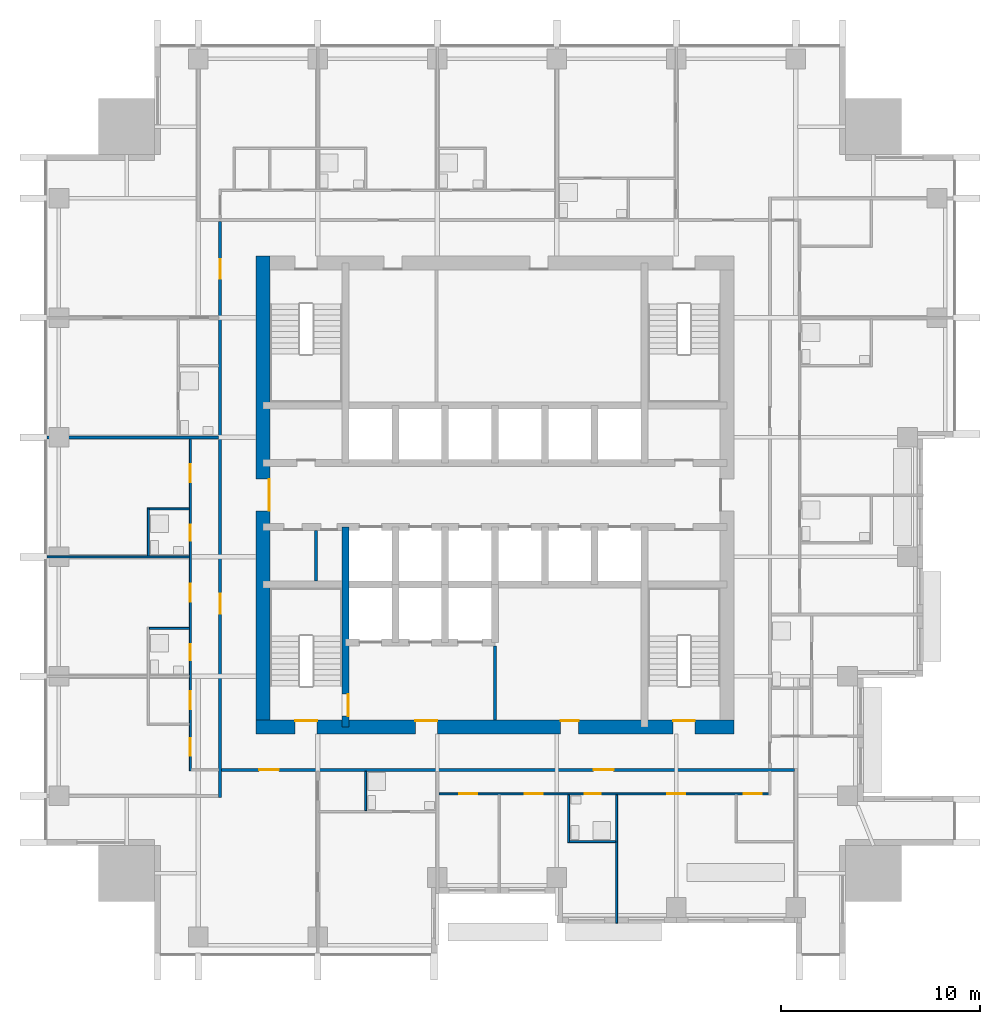
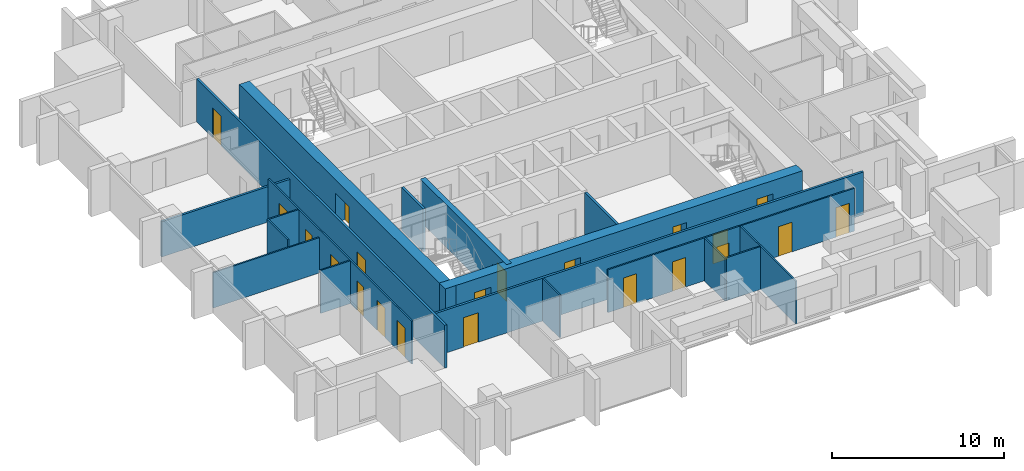
# One storey, part 4 of 10: 21 doors, 18 walls, 21 openings.
"""IFC4 building model written with IfcOpenShell, lengths in metres."""

from ifc_helpers import new_model, si_unit, direction, frame, frame_2d, origin, place, context, subcontext, project, spatial, rectangle, extrude, material, layer, layer_set, type_object, element, fill, save


model = new_model("IFC4")

# Units and contexts
model_context = context("Model", 3, precision=1e-05, world=origin(), true_north=direction((0.0, 1.0)))
body_context = subcontext(model_context, "Body", "Model", "MODEL_VIEW")
ifc_project = project(units=[si_unit("LENGTHUNIT", "METRE"), si_unit("AREAUNIT", "SQUARE_METRE"), si_unit("VOLUMEUNIT", "CUBIC_METRE"), si_unit("PLANEANGLEUNIT", "RADIAN"), si_unit("MASSUNIT", "GRAM", prefix="KILO")], contexts=[model_context])

# Site, building, storey
site_placement = place(None, origin())
site = spatial("IfcSite", under=ifc_project, at=site_placement, CompositionType="ELEMENT")
building_placement = place(site_placement, origin())
building = spatial("IfcBuilding", under=site, at=building_placement, Name="Amberfall Residences", CompositionType="ELEMENT")
storey_placement = place(building_placement, frame((0.0, 0.0, 140.5)))
storey = spatial("IfcBuildingStorey", under=building, at=storey_placement, Name="L37", CompositionType="ELEMENT", Elevation=140.5)

# Wall, opening, door
ifc_material_1 = material(Name="Concrete C60", Category="concrete")
ifc_layer_1 = layer(ifc_material_1, 0.35009765625)
ifc_layer_set_1 = layer_set([ifc_layer_1], Name="Core wall 350 C60")
wall_type_1 = type_object("IfcWallType", Name="Core wall 350 C60", PredefinedType="SHEAR", material=ifc_layer_set_1)
wall_1_placement = place(storey_placement, frame((67.0, 33.85009765625, 0.0), z_axis=(0.0, 0.0, 1.0), x_axis=(0.0, 1.0, 0.0)))
wall_1 = element("IfcWall", 1, at=wall_1_placement, inside=storey, type_object=wall_type_1, Name="Core wall RW6 L37 V45S", PredefinedType="SHEAR", context=body_context, shape_type="SweptSolid", body=[
    extrude(rectangle(XDim=10.0498046875, YDim=0.35009765625, at=frame_2d((5.02490234375, 0.0))), origin(), (0.0, 0.0, 1.0), 3.050048828125),
])
opening_1_placement = place(wall_1_placement, frame((0.550048828125, 0.0, 0.0)))
opening_1 = element("IfcOpeningElement", 2, at=opening_1_placement, cuts=wall_1, Name="Opening FL1", PredefinedType="OPENING", context=body_context, shape_type="SweptSolid", body=[
    extrude(rectangle(XDim=1.10009765625, YDim=2.10009765625, at=frame_2d((0.550048828125, 1.050048828125))), frame((0.0, 0.18505859375, 0.0), z_axis=(0.0, -1.0, 0.0), x_axis=(1.0, 0.0, 0.0)), (0.0, 0.0, 1.0), 0.3701171875),
])
ifc_material_2 = material(Name="Steel fire door set", Category="steel")
door_type_1 = type_object("IfcDoorType", Name="Firefighting lobby door 1100 x 2100", OperationType="SINGLE_SWING_LEFT", PredefinedType="DOOR", material=ifc_material_2)
door_1_placement = place(opening_1_placement, origin())
door_1 = element("IfcDoor", 3, at=door_1_placement, inside=storey, type_object=door_type_1, Name="FL1 L37", OperationType="SINGLE_SWING_RIGHT", OverallHeight=2.10009765625, OverallWidth=1.10009765625, PredefinedType="DOOR", context=body_context, shape_type="SweptSolid", body=[
    extrude(rectangle(XDim=1.10009765625, YDim=2.10009765625, at=frame_2d((0.550048828125, 1.050048828125))), frame((0.0, -0.1123046875, 0.0), z_axis=(0.0, -1.0, 0.0), x_axis=(1.0, 0.0, 0.0)), (0.0, 0.0, 1.0), 0.050048828125),
])
fill(opening_1, door_1)

# Wall, openings, doors
ifc_layer_2 = layer(ifc_material_1, 0.699951171875)
ifc_layer_set_2 = layer_set([ifc_layer_2], Name="Core wall 700 C60")
wall_type_2 = type_object("IfcWallType", Name="Core wall 700 C60", PredefinedType="SHEAR", material=ifc_layer_set_2)
wall_2_placement = place(storey_placement, frame((62.5, 33.85009765625, 0.0), z_axis=(0.0, 0.0, 1.0), x_axis=(1.0, 0.0, 0.0)))
wall_2 = element("IfcWall", 4, at=wall_2_placement, inside=storey, type_object=wall_type_2, Name="Core wall RW5 L37 OS", PredefinedType="SHEAR", context=body_context, shape_type="SweptSolid", body=[
    extrude(rectangle(XDim=24.0, YDim=0.699951171875, at=frame_2d((12.0, 0.0))), origin(), (0.0, 0.0, 1.0), 3.050048828125),
])
opening_2_placement = place(wall_2_placement, frame((1.96240234375, 0.0, 0.0)))
opening_2 = element("IfcOpeningElement", 5, at=opening_2_placement, cuts=wall_2, Name="Opening SD1", PredefinedType="OPENING", context=body_context, shape_type="SweptSolid", body=[
    extrude(rectangle(XDim=1.10009765625, YDim=2.10009765625, at=frame_2d((0.550048828125, 1.050048828125))), frame((0.0, 0.35986328125, 0.0), z_axis=(0.0, -1.0, 0.0), x_axis=(1.0, 0.0, 0.0)), (0.0, 0.0, 1.0), 0.719970703125),
])
opening_3_placement = place(wall_2_placement, frame((20.9375, 0.0, 0.0)))
opening_3 = element("IfcOpeningElement", 6, at=opening_3_placement, cuts=wall_2, Name="Opening SD1", PredefinedType="OPENING", context=body_context, shape_type="SweptSolid", body=[
    extrude(rectangle(XDim=1.10009765625, YDim=2.10009765625, at=frame_2d((0.550048828125, 1.050048828125))), frame((0.0, 0.35986328125, 0.0), z_axis=(0.0, -1.0, 0.0), x_axis=(1.0, 0.0, 0.0)), (0.0, 0.0, 1.0), 0.719970703125),
])
opening_4_placement = place(wall_2_placement, frame((8.0, 0.0, 0.0)))
opening_4 = element("IfcOpeningElement", 7, at=opening_4_placement, cuts=wall_2, Name="Opening FL1", PredefinedType="OPENING", context=body_context, shape_type="SweptSolid", body=[
    extrude(rectangle(XDim=1.10009765625, YDim=2.10009765625, at=frame_2d((0.550048828125, 1.050048828125))), frame((0.0, 0.35986328125, 0.0), z_axis=(0.0, -1.0, 0.0), x_axis=(1.0, 0.0, 0.0)), (0.0, 0.0, 1.0), 0.719970703125),
])
opening_5_placement = place(wall_2_placement, frame((15.300048828125, 0.0, 0.0)))
opening_5 = element("IfcOpeningElement", 8, at=opening_5_placement, cuts=wall_2, Name="Opening RD1", PredefinedType="OPENING", context=body_context, shape_type="SweptSolid", body=[
    extrude(rectangle(XDim=0.89990234375, YDim=2.10009765625, at=frame_2d((0.449951171875, 1.050048828125))), frame((0.0, 0.35986328125, 0.0), z_axis=(0.0, -1.0, 0.0), x_axis=(1.0, 0.0, 0.0)), (0.0, 0.0, 1.0), 0.719970703125),
])
door_2_placement = place(opening_4_placement, origin())
door_2 = element("IfcDoor", 9, at=door_2_placement, inside=storey, type_object=door_type_1, Name="FL1 L37", OperationType="SINGLE_SWING_LEFT", OverallHeight=2.10009765625, OverallWidth=1.10009765625, PredefinedType="DOOR", context=body_context, shape_type="SweptSolid", body=[
    extrude(rectangle(XDim=1.10009765625, YDim=2.10009765625, at=frame_2d((0.550048828125, 1.050048828125))), frame((0.0, 0.33740234375, 0.0), z_axis=(0.0, -1.0, 0.0), x_axis=(1.0, 0.0, 0.0)), (0.0, 0.0, 1.0), 0.050048828125),
])
fill(opening_4, door_2)
door_type_2 = type_object("IfcDoorType", Name="Service room door 900 x 2100", OperationType="SINGLE_SWING_LEFT", PredefinedType="DOOR", material=ifc_material_2)
door_3_placement = place(opening_5_placement, origin())
door_3 = element("IfcDoor", 10, at=door_3_placement, inside=storey, type_object=door_type_2, Name="RD1 L37", OperationType="SINGLE_SWING_LEFT", OverallHeight=2.10009765625, OverallWidth=0.89990234375, PredefinedType="DOOR", context=body_context, shape_type="SweptSolid", body=[
    extrude(rectangle(XDim=0.89990234375, YDim=2.10009765625, at=frame_2d((0.449951171875, 1.050048828125))), frame((0.0, 0.33740234375, 0.0), z_axis=(0.0, -1.0, 0.0), x_axis=(1.0, 0.0, 0.0)), (0.0, 0.0, 1.0), 0.050048828125),
])
fill(opening_5, door_3)
door_type_3 = type_object("IfcDoorType", Name="Stair door 1100 x 2100", OperationType="SINGLE_SWING_LEFT", PredefinedType="DOOR", material=ifc_material_2)
door_4_placement = place(opening_2_placement, origin())
door_4 = element("IfcDoor", 11, at=door_4_placement, inside=storey, type_object=door_type_3, Name="SD1 L37", OperationType="SINGLE_SWING_LEFT", OverallHeight=2.10009765625, OverallWidth=1.10009765625, PredefinedType="DOOR", context=body_context, shape_type="SweptSolid", body=[
    extrude(rectangle(XDim=1.10009765625, YDim=2.10009765625, at=frame_2d((0.550048828125, 1.050048828125))), frame((0.0, 0.33740234375, 0.0), z_axis=(0.0, -1.0, 0.0), x_axis=(1.0, 0.0, 0.0)), (0.0, 0.0, 1.0), 0.050048828125),
])
fill(opening_2, door_4)
door_5_placement = place(opening_3_placement, origin())
door_5 = element("IfcDoor", 12, at=door_5_placement, inside=storey, type_object=door_type_3, Name="SD1 L37", OperationType="SINGLE_SWING_RIGHT", OverallHeight=2.10009765625, OverallWidth=1.10009765625, PredefinedType="DOOR", context=body_context, shape_type="SweptSolid", body=[
    extrude(rectangle(XDim=1.10009765625, YDim=2.10009765625, at=frame_2d((0.550048828125, 1.050048828125))), frame((0.0, 0.33740234375, 0.0), z_axis=(0.0, -1.0, 0.0), x_axis=(1.0, 0.0, 0.0)), (0.0, 0.0, 1.0), 0.050048828125),
])
fill(opening_3, door_5)

# Wall, opening, door
wall_3_placement = place(storey_placement, frame((62.85009765625, 33.5, 0.0), z_axis=(0.0, 0.0, 1.0), x_axis=(0.0, 1.0, 0.0)))
wall_3 = element("IfcWall", 13, at=wall_3_placement, inside=storey, type_object=wall_type_2, Name="Core wall RW5 L37 OW", PredefinedType="SHEAR", context=body_context, shape_type="SweptSolid", body=[
    extrude(rectangle(XDim=24.0, YDim=0.699951171875, at=frame_2d((12.0, 0.0))), origin(), (0.0, 0.0, 1.0), 3.050048828125),
])
opening_6_placement = place(wall_3_placement, frame((11.199951171875, 0.0, 0.0)))
opening_6 = element("IfcOpeningElement", 14, at=opening_6_placement, cuts=wall_3, Name="Opening LB1", PredefinedType="OPENING", context=body_context, shape_type="SweptSolid", body=[
    extrude(rectangle(XDim=1.60009765625, YDim=2.10009765625, at=frame_2d((0.800048828125, 1.050048828125))), frame((0.0, 0.35986328125, 0.0), z_axis=(0.0, -1.0, 0.0), x_axis=(1.0, 0.0, 0.0)), (0.0, 0.0, 1.0), 0.719970703125),
])
door_type_4 = type_object("IfcDoorType", Name="Lift lobby double door 1600 x 2100", OperationType="DOUBLE_DOOR_SINGLE_SWING", PredefinedType="DOOR", material=ifc_material_2)
door_6_placement = place(opening_6_placement, origin())
door_6 = element("IfcDoor", 15, at=door_6_placement, inside=storey, type_object=door_type_4, Name="LB1 L37", OperationType="DOUBLE_DOOR_SINGLE_SWING", OverallHeight=2.10009765625, OverallWidth=1.60009765625, PredefinedType="DOOR", context=body_context, shape_type="SweptSolid", body=[
    extrude(rectangle(XDim=1.60009765625, YDim=2.10009765625, at=frame_2d((0.800048828125, 1.050048828125))), frame((0.0, -0.28759765625, 0.0), z_axis=(0.0, -1.0, 0.0), x_axis=(1.0, 0.0, 0.0)), (0.0, 0.0, 1.0), 0.050048828125),
])
fill(opening_6, door_6)

# Wall
ifc_material_3 = material(Name="Gypsum board on metal stud")
ifc_layer_3 = layer(ifc_material_3, 0.10009765625)
ifc_layer_set_3 = layer_set([ifc_layer_3], Name="Flat partition 100")
wall_type_3 = type_object("IfcWallType", Name="Flat partition 100", PredefinedType="PARTITIONING", material=ifc_layer_set_3)
wall_4_placement = place(storey_placement, frame((57.10009765625, 42.449951171875, 0.0), z_axis=(0.0, 0.0, 1.0), x_axis=(0.0, 1.0, 0.0)))
element("IfcWall", 16, at=wall_4_placement, inside=storey, type_object=wall_type_3, Name="Partition 002", PredefinedType="PARTITIONING", context=body_context, shape_type="SweptSolid", body=[
    extrude(rectangle(XDim=2.400146484375, YDim=0.10009765625, at=frame_2d((1.2001953125, 0.0))), origin(), (0.0, 0.0, 1.0), 3.050048828125),
])

# Wall, openings, doors
wall_5_placement = place(storey_placement, frame((59.199951171875, 31.64990234375, 0.0), z_axis=(0.0, 0.0, 1.0), x_axis=(0.0, 1.0, 0.0)))
wall_5 = element("IfcWall", 17, at=wall_5_placement, inside=storey, type_object=wall_type_3, Name="Partition 004", PredefinedType="PARTITIONING", context=body_context, shape_type="SweptSolid", body=[
    extrude(rectangle(XDim=16.675048828125, YDim=0.10009765625, at=frame_2d((8.33740234375, 0.0))), origin(), (0.0, 0.0, 1.0), 3.050048828125),
])
opening_7_placement = place(wall_5_placement, frame((0.75, 0.0, 0.0)))
opening_7 = element("IfcOpeningElement", 18, at=opening_7_placement, cuts=wall_5, Name="Opening D41", PredefinedType="OPENING", context=body_context, shape_type="SweptSolid", body=[
    extrude(rectangle(XDim=0.89990234375, YDim=2.10009765625, at=frame_2d((0.449951171875, 1.050048828125))), frame((0.0, 0.06005859375, 0.0), z_axis=(0.0, -1.0, 0.0), x_axis=(1.0, 0.0, 0.0)), (0.0, 0.0, 1.0), 0.1201171875),
])
opening_8_placement = place(wall_5_placement, frame((3.10009765625, 0.0, 0.0)))
opening_8 = element("IfcOpeningElement", 19, at=opening_8_placement, cuts=wall_5, Name="Opening D41", PredefinedType="OPENING", context=body_context, shape_type="SweptSolid", body=[
    extrude(rectangle(XDim=0.89990234375, YDim=2.10009765625, at=frame_2d((0.449951171875, 1.050048828125))), frame((0.0, 0.06005859375, 0.0), z_axis=(0.0, -1.0, 0.0), x_axis=(1.0, 0.0, 0.0)), (0.0, 0.0, 1.0), 0.1201171875),
])
opening_9_placement = place(wall_5_placement, frame((8.5, 0.0, 0.0)))
opening_9 = element("IfcOpeningElement", 20, at=opening_9_placement, cuts=wall_5, Name="Opening D41", PredefinedType="OPENING", context=body_context, shape_type="SweptSolid", body=[
    extrude(rectangle(XDim=0.89990234375, YDim=2.10009765625, at=frame_2d((0.449951171875, 1.050048828125))), frame((0.0, 0.06005859375, 0.0), z_axis=(0.0, -1.0, 0.0), x_axis=(1.0, 0.0, 0.0)), (0.0, 0.0, 1.0), 0.1201171875),
])
opening_10_placement = place(wall_5_placement, frame((14.5, 0.0, 0.0)))
opening_10 = element("IfcOpeningElement", 21, at=opening_10_placement, cuts=wall_5, Name="Opening D41", PredefinedType="OPENING", context=body_context, shape_type="SweptSolid", body=[
    extrude(rectangle(XDim=0.89990234375, YDim=2.10009765625, at=frame_2d((0.449951171875, 1.050048828125))), frame((0.0, 0.06005859375, 0.0), z_axis=(0.0, -1.0, 0.0), x_axis=(1.0, 0.0, 0.0)), (0.0, 0.0, 1.0), 0.1201171875),
])
opening_11_placement = place(wall_5_placement, frame((5.550048828125, 0.0, 0.0)))
opening_11 = element("IfcOpeningElement", 22, at=opening_11_placement, cuts=wall_5, Name="Opening D42", PredefinedType="OPENING", context=body_context, shape_type="SweptSolid", body=[
    extrude(rectangle(XDim=0.800048828125, YDim=2.10009765625, at=frame_2d((0.39990234375, 1.050048828125))), frame((0.0, 0.06005859375, 0.0), z_axis=(0.0, -1.0, 0.0), x_axis=(1.0, 0.0, 0.0)), (0.0, 0.0, 1.0), 0.1201171875),
])
opening_12_placement = place(wall_5_placement, frame((11.550048828125, 0.0, 0.0)))
opening_12 = element("IfcOpeningElement", 23, at=opening_12_placement, cuts=wall_5, Name="Opening D42", PredefinedType="OPENING", context=body_context, shape_type="SweptSolid", body=[
    extrude(rectangle(XDim=0.800048828125, YDim=2.10009765625, at=frame_2d((0.39990234375, 1.050048828125))), frame((0.0, 0.06005859375, 0.0), z_axis=(0.0, -1.0, 0.0), x_axis=(1.0, 0.0, 0.0)), (0.0, 0.0, 1.0), 0.1201171875),
])
ifc_material_4 = material(Name="Timber", Category="wood")
door_type_5 = type_object("IfcDoorType", Name="Bathroom door 800 x 2100", OperationType="SINGLE_SWING_LEFT", PredefinedType="DOOR", material=ifc_material_4)
door_7_placement = place(opening_11_placement, origin())
door_7 = element("IfcDoor", 24, at=door_7_placement, inside=storey, type_object=door_type_5, Name="Door 3707 bath1", OperationType="SINGLE_SWING_LEFT", OverallHeight=2.10009765625, OverallWidth=0.800048828125, PredefinedType="DOOR", context=body_context, shape_type="SweptSolid", body=[
    extrude(rectangle(XDim=0.800048828125, YDim=2.10009765625, at=frame_2d((0.39990234375, 1.050048828125))), frame((0.0, 0.02490234375, 0.0), z_axis=(0.0, -1.0, 0.0), x_axis=(1.0, 0.0, 0.0)), (0.0, 0.0, 1.0), 0.050048828125),
])
fill(opening_11, door_7)
door_8_placement = place(opening_12_placement, origin())
door_8 = element("IfcDoor", 25, at=door_8_placement, inside=storey, type_object=door_type_5, Name="Door 3707 bath2", OperationType="SINGLE_SWING_LEFT", OverallHeight=2.10009765625, OverallWidth=0.800048828125, PredefinedType="DOOR", context=body_context, shape_type="SweptSolid", body=[
    extrude(rectangle(XDim=0.800048828125, YDim=2.10009765625, at=frame_2d((0.39990234375, 1.050048828125))), frame((0.0, 0.02490234375, 0.0), z_axis=(0.0, -1.0, 0.0), x_axis=(1.0, 0.0, 0.0)), (0.0, 0.0, 1.0), 0.050048828125),
])
fill(opening_12, door_8)
door_type_6 = type_object("IfcDoorType", Name="Internal door 900 x 2100", OperationType="SINGLE_SWING_LEFT", PredefinedType="DOOR", material=ifc_material_4)
door_9_placement = place(opening_7_placement, origin())
door_9 = element("IfcDoor", 26, at=door_9_placement, inside=storey, type_object=door_type_6, Name="Door 3707 living", OperationType="SINGLE_SWING_LEFT", OverallHeight=2.10009765625, OverallWidth=0.89990234375, PredefinedType="DOOR", context=body_context, shape_type="SweptSolid", body=[
    extrude(rectangle(XDim=0.89990234375, YDim=2.10009765625, at=frame_2d((0.449951171875, 1.050048828125))), frame((0.0, 0.02490234375, 0.0), z_axis=(0.0, -1.0, 0.0), x_axis=(1.0, 0.0, 0.0)), (0.0, 0.0, 1.0), 0.050048828125),
])
fill(opening_7, door_9)
door_10_placement = place(opening_8_placement, origin())
door_10 = element("IfcDoor", 27, at=door_10_placement, inside=storey, type_object=door_type_6, Name="Door 3707 kitchen", OperationType="SINGLE_SWING_LEFT", OverallHeight=2.10009765625, OverallWidth=0.89990234375, PredefinedType="DOOR", context=body_context, shape_type="SweptSolid", body=[
    extrude(rectangle(XDim=0.89990234375, YDim=2.10009765625, at=frame_2d((0.449951171875, 1.050048828125))), frame((0.0, 0.02490234375, 0.0), z_axis=(0.0, -1.0, 0.0), x_axis=(1.0, 0.0, 0.0)), (0.0, 0.0, 1.0), 0.050048828125),
])
fill(opening_8, door_10)
door_11_placement = place(opening_9_placement, origin())
door_11 = element("IfcDoor", 28, at=door_11_placement, inside=storey, type_object=door_type_6, Name="Door 3707 bedroom1", OperationType="SINGLE_SWING_LEFT", OverallHeight=2.10009765625, OverallWidth=0.89990234375, PredefinedType="DOOR", context=body_context, shape_type="SweptSolid", body=[
    extrude(rectangle(XDim=0.89990234375, YDim=2.10009765625, at=frame_2d((0.449951171875, 1.050048828125))), frame((0.0, 0.02490234375, 0.0), z_axis=(0.0, -1.0, 0.0), x_axis=(1.0, 0.0, 0.0)), (0.0, 0.0, 1.0), 0.050048828125),
])
fill(opening_9, door_11)
door_12_placement = place(opening_10_placement, origin())
door_12 = element("IfcDoor", 29, at=door_12_placement, inside=storey, type_object=door_type_6, Name="Door 3707 bedroom2", OperationType="SINGLE_SWING_LEFT", OverallHeight=2.10009765625, OverallWidth=0.89990234375, PredefinedType="DOOR", context=body_context, shape_type="SweptSolid", body=[
    extrude(rectangle(XDim=0.89990234375, YDim=2.10009765625, at=frame_2d((0.449951171875, 1.050048828125))), frame((0.0, 0.02490234375, 0.0), z_axis=(0.0, -1.0, 0.0), x_axis=(1.0, 0.0, 0.0)), (0.0, 0.0, 1.0), 0.050048828125),
])
fill(opening_10, door_12)

# Walls
wall_6_placement = place(storey_placement, frame((68.0, 29.64990234375, 0.0), z_axis=(0.0, 0.0, 1.0), x_axis=(0.0, 1.0, 0.0)))
element("IfcWall", 30, at=wall_6_placement, inside=storey, type_object=wall_type_3, Name="Partition 010", PredefinedType="PARTITIONING", context=body_context, shape_type="SweptSolid", body=[
    extrude(rectangle(XDim=1.97509765625, YDim=0.10009765625, at=frame_2d((0.987548828125, 0.0))), origin(), (0.0, 0.0, 1.0), 3.050048828125),
])
wall_7_placement = place(storey_placement, frame((78.199951171875, 28.050048828125, 0.0), z_axis=(0.0, 0.0, 1.0), x_axis=(0.0, 1.0, 0.0)))
element("IfcWall", 31, at=wall_7_placement, inside=storey, type_object=wall_type_3, Name="Partition 015", PredefinedType="PARTITIONING", context=body_context, shape_type="SweptSolid", body=[
    extrude(rectangle(XDim=2.39990234375, YDim=0.10009765625, at=frame_2d((1.199951171875, 0.0))), origin(), (0.0, 0.0, 1.0), 3.050048828125),
])
wall_8_placement = place(storey_placement, frame((80.60009765625, 24.0, 0.0), z_axis=(0.0, 0.0, 1.0), x_axis=(0.0, 1.0, 0.0)))
element("IfcWall", 32, at=wall_8_placement, inside=storey, type_object=wall_type_3, Name="Partition 016", PredefinedType="PARTITIONING", context=body_context, shape_type="SweptSolid", body=[
    extrude(rectangle(XDim=6.449951171875, YDim=0.10009765625, at=frame_2d((3.22509765625, 0.0))), origin(), (0.0, 0.0, 1.0), 3.050048828125),
])
wall_9_placement = place(storey_placement, frame((57.14990234375, 44.800048828125, 0.0), z_axis=(0.0, 0.0, 1.0), x_axis=(1.0, 0.0, 0.0)))
element("IfcWall", 33, at=wall_9_placement, inside=storey, type_object=wall_type_3, Name="Partition 037", PredefinedType="PARTITIONING", context=body_context, shape_type="SweptSolid", body=[
    extrude(rectangle(XDim=2.0, YDim=0.10009765625, at=frame_2d((1.0, 0.0))), origin(), (0.0, 0.0, 1.0), 3.050048828125),
])
wall_10_placement = place(storey_placement, frame((52.0, 42.39990234375, 0.0), z_axis=(0.0, 0.0, 1.0), x_axis=(1.0, 0.0, 0.0)))
element("IfcWall", 34, at=wall_10_placement, inside=storey, type_object=wall_type_3, Name="Partition 039", PredefinedType="PARTITIONING", context=body_context, shape_type="SweptSolid", body=[
    extrude(rectangle(XDim=7.14990234375, YDim=0.10009765625, at=frame_2d((3.574951171875, 0.0))), origin(), (0.0, 0.0, 1.0), 2.51611328125),
])
wall_11_placement = place(storey_placement, frame((57.14990234375, 38.800048828125, 0.0), z_axis=(0.0, 0.0, 1.0), x_axis=(1.0, 0.0, 0.0)))
element("IfcWall", 35, at=wall_11_placement, inside=storey, type_object=wall_type_3, Name="Partition 040", PredefinedType="PARTITIONING", context=body_context, shape_type="SweptSolid", body=[
    extrude(rectangle(XDim=2.0, YDim=0.10009765625, at=frame_2d((1.0, 0.0))), origin(), (0.0, 0.0, 1.0), 3.050048828125),
])

# Wall, openings, doors
wall_12_placement = place(storey_placement, frame((88.25, 30.5, 0.0), z_axis=(0.0, 0.0, 1.0), x_axis=(-1.0, 0.0, 0.0)))
wall_12 = element("IfcWall", 36, at=wall_12_placement, inside=storey, type_object=wall_type_3, Name="Partition 046", PredefinedType="PARTITIONING", context=body_context, shape_type="SweptSolid", body=[
    extrude(rectangle(XDim=16.574951171875, YDim=0.10009765625, at=frame_2d((8.28759765625, 0.0))), origin(), (0.0, 0.0, 1.0), 3.050048828125),
])
opening_13_placement = place(wall_12_placement, frame((4.199951171875, 0.0, 0.0)))
opening_13 = element("IfcOpeningElement", 37, at=opening_13_placement, cuts=wall_12, Name="Opening D41", PredefinedType="OPENING", context=body_context, shape_type="SweptSolid", body=[
    extrude(rectangle(XDim=0.89990234375, YDim=2.10009765625, at=frame_2d((0.449951171875, 1.050048828125))), frame((0.0, 0.06005859375, 0.0), z_axis=(0.0, -1.0, 0.0), x_axis=(1.0, 0.0, 0.0)), (0.0, 0.0, 1.0), 0.1201171875),
])
opening_14_placement = place(wall_12_placement, frame((0.35009765625, 0.0, 0.0)))
opening_14 = element("IfcOpeningElement", 38, at=opening_14_placement, cuts=wall_12, Name="Opening D41", PredefinedType="OPENING", context=body_context, shape_type="SweptSolid", body=[
    extrude(rectangle(XDim=0.89990234375, YDim=2.10009765625, at=frame_2d((0.449951171875, 1.050048828125))), frame((0.0, 0.06005859375, 0.0), z_axis=(0.0, -1.0, 0.0), x_axis=(1.0, 0.0, 0.0)), (0.0, 0.0, 1.0), 0.1201171875),
])
opening_15_placement = place(wall_12_placement, frame((14.64990234375, 0.0, 0.0)))
opening_15 = element("IfcOpeningElement", 39, at=opening_15_placement, cuts=wall_12, Name="Opening D41", PredefinedType="OPENING", context=body_context, shape_type="SweptSolid", body=[
    extrude(rectangle(XDim=0.89990234375, YDim=2.10009765625, at=frame_2d((0.449951171875, 1.050048828125))), frame((0.0, 0.06005859375, 0.0), z_axis=(0.0, -1.0, 0.0), x_axis=(1.0, 0.0, 0.0)), (0.0, 0.0, 1.0), 0.1201171875),
])
opening_16_placement = place(wall_12_placement, frame((11.35009765625, 0.0, 0.0)))
opening_16 = element("IfcOpeningElement", 40, at=opening_16_placement, cuts=wall_12, Name="Opening D41", PredefinedType="OPENING", context=body_context, shape_type="SweptSolid", body=[
    extrude(rectangle(XDim=0.89990234375, YDim=2.10009765625, at=frame_2d((0.449951171875, 1.050048828125))), frame((0.0, 0.06005859375, 0.0), z_axis=(0.0, -1.0, 0.0), x_axis=(1.0, 0.0, 0.0)), (0.0, 0.0, 1.0), 0.1201171875),
])
opening_17_placement = place(wall_12_placement, frame((8.449951171875, 0.0, 0.0)))
opening_17 = element("IfcOpeningElement", 41, at=opening_17_placement, cuts=wall_12, Name="Opening D42", PredefinedType="OPENING", context=body_context, shape_type="SweptSolid", body=[
    extrude(rectangle(XDim=0.800048828125, YDim=2.10009765625, at=frame_2d((0.39990234375, 1.050048828125))), frame((0.0, 0.06005859375, 0.0), z_axis=(0.0, -1.0, 0.0), x_axis=(1.0, 0.0, 0.0)), (0.0, 0.0, 1.0), 0.1201171875),
])
door_13_placement = place(opening_17_placement, origin())
door_13 = element("IfcDoor", 42, at=door_13_placement, inside=storey, type_object=door_type_5, Name="Door 3702 bath1", OperationType="SINGLE_SWING_LEFT", OverallHeight=2.10009765625, OverallWidth=0.800048828125, PredefinedType="DOOR", context=body_context, shape_type="SweptSolid", body=[
    extrude(rectangle(XDim=0.800048828125, YDim=2.10009765625, at=frame_2d((0.39990234375, 1.050048828125))), frame((0.0, 0.02490234375, 0.0), z_axis=(0.0, -1.0, 0.0), x_axis=(1.0, 0.0, 0.0)), (0.0, 0.0, 1.0), 0.050048828125),
])
fill(opening_17, door_13)
door_14_placement = place(opening_13_placement, origin())
door_14 = element("IfcDoor", 43, at=door_14_placement, inside=storey, type_object=door_type_6, Name="Door 3702 living", OperationType="SINGLE_SWING_LEFT", OverallHeight=2.10009765625, OverallWidth=0.89990234375, PredefinedType="DOOR", context=body_context, shape_type="SweptSolid", body=[
    extrude(rectangle(XDim=0.89990234375, YDim=2.10009765625, at=frame_2d((0.449951171875, 1.050048828125))), frame((0.0, 0.02490234375, 0.0), z_axis=(0.0, -1.0, 0.0), x_axis=(1.0, 0.0, 0.0)), (0.0, 0.0, 1.0), 0.050048828125),
])
fill(opening_13, door_14)
door_15_placement = place(opening_14_placement, origin())
door_15 = element("IfcDoor", 44, at=door_15_placement, inside=storey, type_object=door_type_6, Name="Door 3702 kitchen", OperationType="SINGLE_SWING_LEFT", OverallHeight=2.10009765625, OverallWidth=0.89990234375, PredefinedType="DOOR", context=body_context, shape_type="SweptSolid", body=[
    extrude(rectangle(XDim=0.89990234375, YDim=2.10009765625, at=frame_2d((0.449951171875, 1.050048828125))), frame((0.0, 0.02490234375, 0.0), z_axis=(0.0, -1.0, 0.0), x_axis=(1.0, 0.0, 0.0)), (0.0, 0.0, 1.0), 0.050048828125),
])
fill(opening_14, door_15)
door_16_placement = place(opening_15_placement, origin())
door_16 = element("IfcDoor", 45, at=door_16_placement, inside=storey, type_object=door_type_6, Name="Door 3702 bedroom1", OperationType="SINGLE_SWING_LEFT", OverallHeight=2.10009765625, OverallWidth=0.89990234375, PredefinedType="DOOR", context=body_context, shape_type="SweptSolid", body=[
    extrude(rectangle(XDim=0.89990234375, YDim=2.10009765625, at=frame_2d((0.449951171875, 1.050048828125))), frame((0.0, 0.02490234375, 0.0), z_axis=(0.0, -1.0, 0.0), x_axis=(1.0, 0.0, 0.0)), (0.0, 0.0, 1.0), 0.050048828125),
])
fill(opening_15, door_16)
door_17_placement = place(opening_16_placement, origin())
door_17 = element("IfcDoor", 46, at=door_17_placement, inside=storey, type_object=door_type_6, Name="Door 3702 bedroom2", OperationType="SINGLE_SWING_LEFT", OverallHeight=2.10009765625, OverallWidth=0.89990234375, PredefinedType="DOOR", context=body_context, shape_type="SweptSolid", body=[
    extrude(rectangle(XDim=0.89990234375, YDim=2.10009765625, at=frame_2d((0.449951171875, 1.050048828125))), frame((0.0, 0.02490234375, 0.0), z_axis=(0.0, -1.0, 0.0), x_axis=(1.0, 0.0, 0.0)), (0.0, 0.0, 1.0), 0.050048828125),
])
fill(opening_16, door_17)

# Wall
wall_13_placement = place(storey_placement, frame((78.25, 28.10009765625, 0.0), z_axis=(0.0, 0.0, 1.0), x_axis=(1.0, 0.0, 0.0)))
element("IfcWall", 47, at=wall_13_placement, inside=storey, type_object=wall_type_3, Name="Partition 048", PredefinedType="PARTITIONING", context=body_context, shape_type="SweptSolid", body=[
    extrude(rectangle(XDim=2.300048828125, YDim=0.10009765625, at=frame_2d((1.14990234375, 0.0))), origin(), (0.0, 0.0, 1.0), 3.050048828125),
])

# Wall, openings, doors
ifc_material_5 = material(Name="Blockwork, plastered", Category="masonry")
ifc_layer_4 = layer(ifc_material_5, 0.14990234375)
ifc_layer_set_4 = layer_set([ifc_layer_4], Name="Flat separating wall 150")
wall_type_4 = type_object("IfcWallType", Name="Flat separating wall 150", PredefinedType="PARTITIONING", material=ifc_layer_set_4)
wall_14_placement = place(storey_placement, frame((60.699951171875, 30.324951171875, 0.0), z_axis=(0.0, 0.0, 1.0), x_axis=(0.0, 1.0, 0.0)))
wall_14 = element("IfcWall", 48, at=wall_14_placement, inside=storey, type_object=wall_type_4, Name="Separating wall 051", PredefinedType="PARTITIONING", context=body_context, shape_type="SweptSolid", body=[
    extrude(rectangle(XDim=28.900146484375, YDim=0.14990234375, at=frame_2d((14.4501953125, 0.0))), origin(), (0.0, 0.0, 1.0), 3.050048828125),
])
opening_18_placement = place(wall_14_placement, frame((9.22509765625, 0.0, 0.0)))
opening_18 = element("IfcOpeningElement", 49, at=opening_18_placement, cuts=wall_14, Name="Opening D40", PredefinedType="OPENING", context=body_context, shape_type="SweptSolid", body=[
    extrude(rectangle(XDim=1.0, YDim=2.10009765625, at=frame_2d((0.5, 1.050048828125))), frame((0.0, 0.0849609375, 0.0), z_axis=(0.0, -1.0, 0.0), x_axis=(1.0, 0.0, 0.0)), (0.0, 0.0, 1.0), 0.169921875),
])
opening_19_placement = place(wall_14_placement, frame((26.02490234375, 0.0, 0.0)))
opening_19 = element("IfcOpeningElement", 50, at=opening_19_placement, cuts=wall_14, Name="Opening D40", PredefinedType="OPENING", context=body_context, shape_type="SweptSolid", body=[
    extrude(rectangle(XDim=1.0, YDim=2.10009765625, at=frame_2d((0.5, 1.050048828125))), frame((0.0, 0.0849609375, 0.0), z_axis=(0.0, -1.0, 0.0), x_axis=(1.0, 0.0, 0.0)), (0.0, 0.0, 1.0), 0.169921875),
])
ifc_material_6 = material(Name="Timber, fire-rated", Category="wood")
door_type_7 = type_object("IfcDoorType", Name="Flat entrance door FD60 1000 x 2100", OperationType="SINGLE_SWING_LEFT", PredefinedType="DOOR", material=ifc_material_6)
door_18_placement = place(opening_18_placement, origin())
door_18 = element("IfcDoor", 51, at=door_18_placement, inside=storey, type_object=door_type_7, Name="Door 3707 entrance", OperationType="SINGLE_SWING_LEFT", OverallHeight=2.10009765625, OverallWidth=1.0, PredefinedType="DOOR", context=body_context, shape_type="SweptSolid", body=[
    extrude(rectangle(XDim=1.0, YDim=2.10009765625, at=frame_2d((0.5, 1.050048828125))), frame((0.0, 0.02490234375, 0.0), z_axis=(0.0, -1.0, 0.0), x_axis=(1.0, 0.0, 0.0)), (0.0, 0.0, 1.0), 0.050048828125),
])
fill(opening_18, door_18)
door_19_placement = place(opening_19_placement, origin())
door_19 = element("IfcDoor", 52, at=door_19_placement, inside=storey, type_object=door_type_7, Name="Door 3708 entrance", OperationType="SINGLE_SWING_LEFT", OverallHeight=2.10009765625, OverallWidth=1.0, PredefinedType="DOOR", context=body_context, shape_type="SweptSolid", body=[
    extrude(rectangle(XDim=1.0, YDim=2.10009765625, at=frame_2d((0.5, 1.050048828125))), frame((0.0, 0.02490234375, 0.0), z_axis=(0.0, -1.0, 0.0), x_axis=(1.0, 0.0, 0.0)), (0.0, 0.0, 1.0), 0.050048828125),
])
fill(opening_19, door_19)

# Wall
wall_15_placement = place(storey_placement, frame((52.0, 48.39990234375, 0.0), z_axis=(0.0, 0.0, 1.0), x_axis=(1.0, 0.0, 0.0)))
element("IfcWall", 53, at=wall_15_placement, inside=storey, type_object=wall_type_4, Name="Separating wall 058", PredefinedType="PARTITIONING", context=body_context, shape_type="SweptSolid", body=[
    extrude(rectangle(XDim=8.625, YDim=0.14990234375, at=frame_2d((4.3125, 0.0))), origin(), (0.0, 0.0, 1.0), 2.51611328125),
])

# Wall, openings, doors
wall_16_placement = place(storey_placement, frame((89.52490234375, 31.699951171875, 0.0), z_axis=(0.0, 0.0, 1.0), x_axis=(-1.0, 0.0, 0.0)))
wall_16 = element("IfcWall", 54, at=wall_16_placement, inside=storey, type_object=wall_type_4, Name="Separating wall 060", PredefinedType="PARTITIONING", context=body_context, shape_type="SweptSolid", body=[
    extrude(rectangle(XDim=28.75, YDim=0.14990234375, at=frame_2d((14.375, 0.0))), origin(), (0.0, 0.0, 1.0), 3.050048828125),
])
opening_20_placement = place(wall_16_placement, frame((25.875, 0.0, 0.0)))
opening_20 = element("IfcOpeningElement", 55, at=opening_20_placement, cuts=wall_16, Name="Opening D40", PredefinedType="OPENING", context=body_context, shape_type="SweptSolid", body=[
    extrude(rectangle(XDim=1.0, YDim=2.10009765625, at=frame_2d((0.5, 1.050048828125))), frame((0.0, 0.0849609375, 0.0), z_axis=(0.0, -1.0, 0.0), x_axis=(1.0, 0.0, 0.0)), (0.0, 0.0, 1.0), 0.169921875),
])
opening_21_placement = place(wall_16_placement, frame((9.074951171875, 0.0, 0.0)))
opening_21 = element("IfcOpeningElement", 56, at=opening_21_placement, cuts=wall_16, Name="Opening D40", PredefinedType="OPENING", context=body_context, shape_type="SweptSolid", body=[
    extrude(rectangle(XDim=1.0, YDim=2.10009765625, at=frame_2d((0.5, 1.050048828125))), frame((0.0, 0.0849609375, 0.0), z_axis=(0.0, -1.0, 0.0), x_axis=(1.0, 0.0, 0.0)), (0.0, 0.0, 1.0), 0.169921875),
])
door_20_placement = place(opening_20_placement, origin())
door_20 = element("IfcDoor", 57, at=door_20_placement, inside=storey, type_object=door_type_7, Name="Door 3701 entrance", OperationType="SINGLE_SWING_LEFT", OverallHeight=2.10009765625, OverallWidth=1.0, PredefinedType="DOOR", context=body_context, shape_type="SweptSolid", body=[
    extrude(rectangle(XDim=1.0, YDim=2.10009765625, at=frame_2d((0.5, 1.050048828125))), frame((0.0, 0.02490234375, 0.0), z_axis=(0.0, -1.0, 0.0), x_axis=(1.0, 0.0, 0.0)), (0.0, 0.0, 1.0), 0.050048828125),
])
fill(opening_20, door_20)
door_21_placement = place(opening_21_placement, origin())
door_21 = element("IfcDoor", 58, at=door_21_placement, inside=storey, type_object=door_type_7, Name="Door 3702 entrance", OperationType="SINGLE_SWING_LEFT", OverallHeight=2.10009765625, OverallWidth=1.0, PredefinedType="DOOR", context=body_context, shape_type="SweptSolid", body=[
    extrude(rectangle(XDim=1.0, YDim=2.10009765625, at=frame_2d((0.5, 1.050048828125))), frame((0.0, 0.02490234375, 0.0), z_axis=(0.0, -1.0, 0.0), x_axis=(1.0, 0.0, 0.0)), (0.0, 0.0, 1.0), 0.050048828125),
])
fill(opening_21, door_21)

# Walls
ifc_material_7 = material(Name="Concrete blockwork", Category="masonry")
ifc_layer_5 = layer(ifc_material_7, 0.14990234375)
ifc_layer_set_5 = layer_set([ifc_layer_5], Name="Riser wall 150")
wall_type_5 = type_object("IfcWallType", Name="Riser wall 150", PredefinedType="PLUMBINGWALL", material=ifc_layer_set_5)
wall_17_placement = place(storey_placement, frame((74.5, 34.199951171875, 0.0), z_axis=(0.0, 0.0, 1.0), x_axis=(0.0, 1.0, 0.0)))
element("IfcWall", 59, at=wall_17_placement, inside=storey, type_object=wall_type_5, Name="L37 core wall PX", PredefinedType="PLUMBINGWALL", context=body_context, shape_type="SweptSolid", body=[
    extrude(rectangle(XDim=3.72509765625, YDim=0.14990234375, at=frame_2d((1.862548828125, 0.0))), origin(), (0.0, 0.0, 1.0), 3.050048828125),
])
wall_18_placement = place(storey_placement, frame((65.52001953125, 41.175048828125, 0.0), z_axis=(0.0, 0.0, 1.0), x_axis=(0.0, 1.0, 0.0)))
element("IfcWall", 60, at=wall_18_placement, inside=storey, type_object=wall_type_5, Name="L37 core wall ASW0", PredefinedType="PLUMBINGWALL", context=body_context, shape_type="SweptSolid", body=[
    extrude(rectangle(XDim=2.550048828125, YDim=0.14990234375, at=frame_2d((1.27490234375, 0.0))), origin(), (0.0, 0.0, 1.0), 3.050048828125),
])

save(model, "model.ifc")
